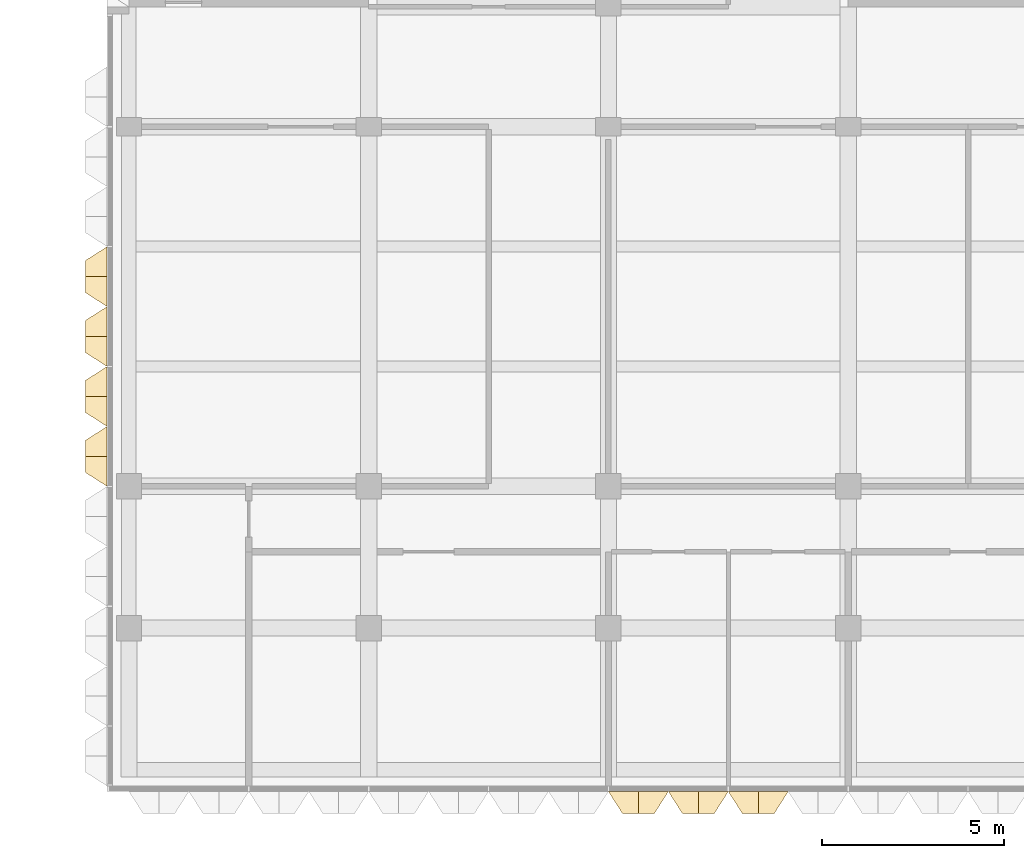
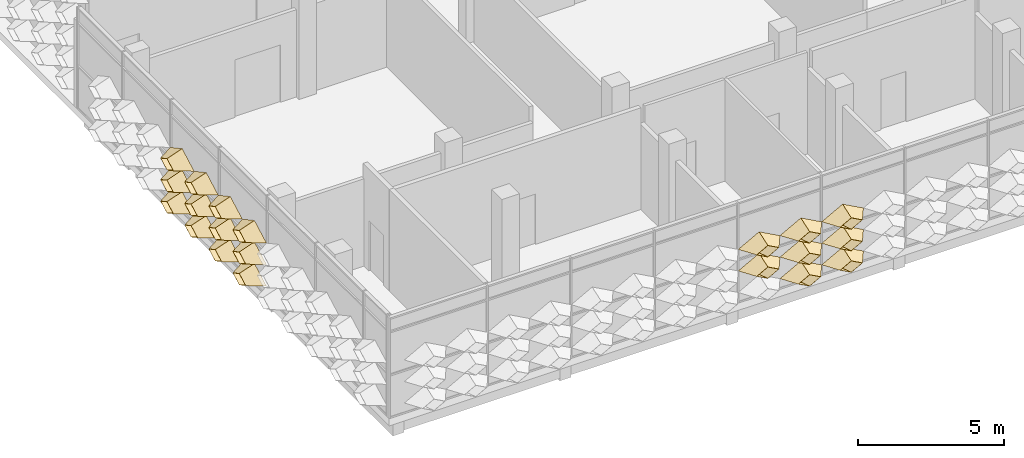
# One storey, part 33 of 61: 20 coverings.
"""IFC4 building model written with IfcOpenShell, lengths in metres."""

import ifcopenshell
import ifcopenshell.guid

model = None  # the IFC model being written
_history = None  # IfcOwnerHistory: only IFC2X3 demands one
_inside = {}  # id of a spatial element -> (the spatial element, [elements in it])
_under = {}  # id of a project, library or spatial element -> (it, [spatial elements below it])
_declared = {}  # id of a project -> (the project, [libraries it declares])
_typed = {}  # id of a type object -> (the type object, [elements of that type])
_made_of = {}  # id of a material, layer set ... -> (it, [elements and type objects made of it])


def new_model(schema):
    """Start an empty IFC model of exactly this schema.

    Asked for "IFC4X3", IfcOpenShell would pick the latest addendum, in which some entities
    have other attributes; the version numbers below select the first issue.
    IFC2X3 requires an IfcOwnerHistory on every rooted entity: one is made here for all.
    """
    global model, _history
    if schema == "IFC4X3":
        model = ifcopenshell.file(schema_version=(4, 3, 0, 0))
    else:
        model = ifcopenshell.file(schema=schema)
    _inside.clear()
    _under.clear()
    _declared.clear()
    _typed.clear()
    _made_of.clear()
    _history = None
    if model.schema == "IFC2X3":
        org = make("IfcOrganization", Name="unknown")
        user = make(
            "IfcPersonAndOrganization",
            ThePerson=make("IfcPerson", FamilyName="unknown"),
            TheOrganization=org,
        )
        app = make(
            "IfcApplication",
            ApplicationDeveloper=org,
            Version="unknown",
            ApplicationFullName="unknown",
            ApplicationIdentifier="unknown",
        )
        _history = make(
            "IfcOwnerHistory",
            OwningUser=user,
            OwningApplication=app,
            ChangeAction="ADDED",
            CreationDate=0,
        )
    return model


def make(cls, **values):
    """One entity of the class cls with the attributes given. An attribute that is None is left unset."""
    return model.create_entity(
        cls, **{name: value for name, value in values.items() if value is not None}
    )


def entity(cls, *values):
    """Any entity or typed value of the class cls, its attributes in the order of the schema. None: left unset."""
    e = model.create_entity(cls)
    for i, value in enumerate(values):
        if value is not None:
            e[i] = value
    return e


def rooted(cls, **values):
    """An entity with a GlobalId (a new one), such as an element, a storey or a relation."""
    return make(cls, GlobalId=ifcopenshell.guid.new(), OwnerHistory=_history, **values)


def si_unit(unit_type, name, prefix=None):
    """IfcSIUnit, for example si_unit("LENGTHUNIT", "METRE", prefix="MILLI")."""
    return make("IfcSIUnit", UnitType=unit_type, Prefix=prefix, Name=name)


def assignment(units):
    """IfcUnitAssignment: the units of a project."""
    return None if units is None else make("IfcUnitAssignment", Units=units)


def point(xyz):
    """IfcCartesianPoint."""
    return None if xyz is None else make("IfcCartesianPoint", Coordinates=xyz)


def direction(xyz):
    """IfcDirection."""
    return None if xyz is None else make("IfcDirection", DirectionRatios=xyz)


def frame(location, z_axis=None, x_axis=None):
    """IfcAxis2Placement3D, a coordinate frame: its origin and axes. An axis left out is left unset."""
    return make(
        "IfcAxis2Placement3D",
        Location=point(location),
        Axis=direction(z_axis),
        RefDirection=direction(x_axis),
    )


def origin():
    """The frame at (0, 0, 0) with its axes left unset."""
    return frame((0.0, 0.0, 0.0))


def place(relative_to, where):
    """IfcLocalPlacement: puts the frame where relative to a parent placement (None: the world)."""
    return make(
        "IfcLocalPlacement", PlacementRelTo=relative_to, RelativePlacement=where
    )


def context(
    kind, dimensions, precision=None, world=None, true_north=None, identifier=None
):
    """IfcGeometricRepresentationContext, for example the 3D "Model" context."""
    return make(
        "IfcGeometricRepresentationContext",
        ContextIdentifier=identifier,
        ContextType=kind,
        CoordinateSpaceDimension=dimensions,
        Precision=precision,
        WorldCoordinateSystem=world,
        TrueNorth=true_north,
    )


def subcontext(parent, identifier, kind, view, scale=None):
    """IfcGeometricRepresentationSubContext, for example "Body" below "Model"."""
    return make(
        "IfcGeometricRepresentationSubContext",
        ContextIdentifier=identifier,
        ContextType=kind,
        ParentContext=parent,
        TargetScale=scale,
        TargetView=view,
    )


def project(units=None, contexts=None):
    """IfcProject with its units and contexts."""
    return rooted(
        "IfcProject",
        Name="project",
        RepresentationContexts=contexts,
        UnitsInContext=assignment(units),
    )


def spatial(cls, under=None, at=None, **own):
    """A site, building, storey or space (cls), placed at a placement, below another one or the project."""
    s = rooted(cls, ObjectPlacement=at, **own)
    if under is not None:
        _under.setdefault(under.id(), (under, []))[1].append(s)
    return s


def shape(context_of_items, identifier, shape_type, items):
    """IfcShapeRepresentation: the items that make up one representation, for example the "Body"."""
    return make(
        "IfcShapeRepresentation",
        ContextOfItems=context_of_items,
        RepresentationIdentifier=identifier,
        RepresentationType=shape_type,
        Items=items,
    )


def material(Name=None, Category=None):
    """IfcMaterial."""
    return make("IfcMaterial", Name=Name, Category=Category)


def layer(
    of_material, thickness, ventilated=None, Name=None, Category=None, Priority=None
):
    """IfcMaterialLayer: one layer of a wall or slab, of a material (None: an air gap)."""
    return make(
        "IfcMaterialLayer",
        Material=of_material,
        LayerThickness=thickness,
        IsVentilated=ventilated,
        Name=Name,
        Category=Category,
        Priority=Priority,
    )


def layer_set(layers, Name=None):
    """IfcMaterialLayerSet."""
    return make("IfcMaterialLayerSet", MaterialLayers=layers, LayerSetName=Name)


def made_of(thing, what):
    """Note that an element or type object is made of a material, layer set ...; save() writes the relation."""
    if what is not None:
        _made_of.setdefault(what.id(), (what, []))[1].append(thing)
    return thing


def type_object(cls, material=None, **own):
    """A type object (cls), such as IfcWallType, which elements share."""
    return made_of(rooted(cls, **own), material)


def element(
    cls,
    number,
    at=None,
    inside=None,
    cuts=None,
    type_object=None,
    material=None,
    context=None,
    identifier="Body",
    shape_type=None,
    held_by="IfcProductDefinitionShape",
    body=None,
    shapes=None,
    **own,
):
    """One element of the class cls, such as IfcWall. Its Tag is "e" and its number.

    at: its placement. inside: the storey or other place that contains it. cuts: it is an
    opening in that element (IfcRelVoidsElement). A single representation is given by context,
    identifier, shape_type and body (its items); several are given by shapes. held_by: the class
    of the entity that holds the representations. save() writes the other relations.
    """
    e = rooted(cls, Tag="e%d" % number, ObjectPlacement=at, **own)
    if body is not None:
        shapes = [shape(context, identifier, shape_type, body)]
    if shapes is not None:
        e.Representation = make(held_by, Representations=shapes)
    if inside is not None:
        _inside.setdefault(inside.id(), (inside, []))[1].append(e)
    if cuts is not None:
        rooted(
            "IfcRelVoidsElement", RelatingBuildingElement=cuts, RelatedOpeningElement=e
        )
    if type_object is not None:
        _typed.setdefault(type_object.id(), (type_object, []))[1].append(e)
    return made_of(e, material)


def aggregate(whole, parts):
    """IfcRelAggregates: a whole, such as a stair, and the parts it consists of."""
    return rooted("IfcRelAggregates", RelatingObject=whole, RelatedObjects=parts)


def save(model, path):
    """Write the relations noted so far, then the file.

    IfcRelAggregates (storeys below a building ...), IfcRelContainedInSpatialStructure (elements
    in a storey), IfcRelDefinesByType, IfcRelAssociatesMaterial and IfcRelDeclares: one each for
    every whole, place, type object, material and project.
    """
    for whole, parts in _under.values():
        aggregate(whole, parts)
    for where, things in _inside.values():
        rooted(
            "IfcRelContainedInSpatialStructure",
            RelatedElements=things,
            RelatingStructure=where,
        )
    for kind, things in _typed.values():
        rooted("IfcRelDefinesByType", RelatedObjects=things, RelatingType=kind)
    for what, things in _made_of.values():
        rooted("IfcRelAssociatesMaterial", RelatedObjects=things, RelatingMaterial=what)
    for by, libraries in _declared.values():
        rooted("IfcRelDeclares", RelatingContext=by, RelatedDefinitions=libraries)
    model.write(path)


model = new_model("IFC4")

# Units and contexts
model_context = context("Model", 3, precision=1e-05, world=origin(), true_north=direction((0.0, 1.0)))
body_context = subcontext(model_context, "Body", "Model", "MODEL_VIEW")
ifc_project = project(units=[si_unit("LENGTHUNIT", "METRE"), si_unit("AREAUNIT", "SQUARE_METRE"), si_unit("VOLUMEUNIT", "CUBIC_METRE"), si_unit("PLANEANGLEUNIT", "RADIAN"), si_unit("MASSUNIT", "GRAM", prefix="KILO")], contexts=[model_context])

# Site, building, storey
site_placement = place(None, origin())
site = spatial("IfcSite", under=ifc_project, at=site_placement, CompositionType="ELEMENT")
building_placement = place(site_placement, origin())
building = spatial("IfcBuilding", under=site, at=building_placement, Name="Lantern Court Research Institute", CompositionType="ELEMENT")
storey_placement = place(building_placement, frame((0.0, 0.0, 23.39990234375)))
storey = spatial("IfcBuildingStorey", under=building, at=storey_placement, Name="L05", CompositionType="ELEMENT", Elevation=23.39990234375)

# Coverings
ifc_material = material(Name="Anodised aluminium", Category="aluminium")
ifc_layer = layer(ifc_material, 0.01611328125)
ifc_layer_set = layer_set([ifc_layer], Name="Anodised aluminium")
covering_type = type_object("IfcCoveringType", Name="Fin cassette 1650 x 900 x 600 aluminium", PredefinedType="CLADDING", material=ifc_layer_set)
covering_1_placement = place(storey_placement, frame((15.675048828125, -8.39990234375, 0.4501953125), z_axis=(0.0, -1.0, 0.0), x_axis=(1.0, 0.0, 0.0)))
cartesian_point_1 = entity("IfcCartesianPoint", [0.824951171875, 0.0])
cartesian_point_2 = entity("IfcCartesianPoint", [0.79150390625, 0.0])
cartesian_point_3 = entity("IfcCartesianPoint", [0.44189453125, 0.0])
cartesian_point_4 = entity("IfcCartesianPoint", [0.43359375, 0.0])
element("IfcCovering", 1, at=covering_1_placement, inside=storey, type_object=covering_type, Name="Fin cassette V4S-L05 1.10", PredefinedType="CLADDING", context=body_context, shape_type="SweptSolid", body=[
    entity("IfcExtrudedAreaSolidTapered", entity("IfcArbitraryProfileDefWithVoids", "AREA", None, entity("IfcPolyline", [cartesian_point_1, entity("IfcCartesianPoint", [0.0, 0.449951171875]), entity("IfcCartesianPoint", [-0.824951171875, 0.0]), entity("IfcCartesianPoint", [0.0, -0.449951171875]), cartesian_point_1]), [entity("IfcPolyline", [cartesian_point_2, entity("IfcCartesianPoint", [0.0, 0.431884765625]), entity("IfcCartesianPoint", [-0.79150390625, 0.0]), entity("IfcCartesianPoint", [0.0, -0.431884765625]), cartesian_point_2])]), entity("IfcAxis2Placement3D", entity("IfcCartesianPoint", [0.0, 0.0, 0.0])), entity("IfcDirection", [0.0, 0.0, 1.0]), 0.60009765625, entity("IfcArbitraryProfileDefWithVoids", "AREA", None, entity("IfcPolyline", [cartesian_point_3, entity("IfcCartesianPoint", [0.0, 0.240966796875]), entity("IfcCartesianPoint", [-0.44189453125, 0.0]), entity("IfcCartesianPoint", [0.0, -0.240966796875]), cartesian_point_3]), [entity("IfcPolyline", [cartesian_point_4, entity("IfcCartesianPoint", [0.0, 0.236572265625]), entity("IfcCartesianPoint", [-0.43359375, 0.0]), entity("IfcCartesianPoint", [0.0, -0.236572265625]), cartesian_point_4])])),
])
covering_2_placement = place(storey_placement, frame((17.324951171875, -8.39990234375, 0.4501953125), z_axis=(0.0, -1.0, 0.0), x_axis=(1.0, 0.0, 0.0)))
cartesian_point_5 = entity("IfcCartesianPoint", [0.824951171875, 0.0])
cartesian_point_6 = entity("IfcCartesianPoint", [0.79150390625, 0.0])
cartesian_point_7 = entity("IfcCartesianPoint", [0.44189453125, 0.0])
cartesian_point_8 = entity("IfcCartesianPoint", [0.43359375, 0.0])
element("IfcCovering", 2, at=covering_2_placement, inside=storey, type_object=covering_type, Name="Fin cassette V4S-L05 1.11", PredefinedType="CLADDING", context=body_context, shape_type="SweptSolid", body=[
    entity("IfcExtrudedAreaSolidTapered", entity("IfcArbitraryProfileDefWithVoids", "AREA", None, entity("IfcPolyline", [cartesian_point_5, entity("IfcCartesianPoint", [0.0, 0.449951171875]), entity("IfcCartesianPoint", [-0.824951171875, 0.0]), entity("IfcCartesianPoint", [0.0, -0.449951171875]), cartesian_point_5]), [entity("IfcPolyline", [cartesian_point_6, entity("IfcCartesianPoint", [0.0, 0.431884765625]), entity("IfcCartesianPoint", [-0.79150390625, 0.0]), entity("IfcCartesianPoint", [0.0, -0.431884765625]), cartesian_point_6])]), entity("IfcAxis2Placement3D", entity("IfcCartesianPoint", [0.0, 0.0, 0.0])), entity("IfcDirection", [0.0, 0.0, 1.0]), 0.60009765625, entity("IfcArbitraryProfileDefWithVoids", "AREA", None, entity("IfcPolyline", [cartesian_point_7, entity("IfcCartesianPoint", [0.0, 0.240966796875]), entity("IfcCartesianPoint", [-0.44189453125, 0.0]), entity("IfcCartesianPoint", [0.0, -0.240966796875]), cartesian_point_7]), [entity("IfcPolyline", [cartesian_point_8, entity("IfcCartesianPoint", [0.0, 0.236572265625]), entity("IfcCartesianPoint", [-0.43359375, 0.0]), entity("IfcCartesianPoint", [0.0, -0.236572265625]), cartesian_point_8])])),
])
covering_3_placement = place(storey_placement, frame((14.02490234375, -8.39990234375, 1.35009765625), z_axis=(0.0, -1.0, 0.0), x_axis=(1.0, 0.0, 0.0)))
cartesian_point_9 = entity("IfcCartesianPoint", [0.824951171875, 0.0])
cartesian_point_10 = entity("IfcCartesianPoint", [0.79150390625, 0.0])
cartesian_point_11 = entity("IfcCartesianPoint", [0.44189453125, 0.0])
cartesian_point_12 = entity("IfcCartesianPoint", [0.43359375, 0.0])
element("IfcCovering", 3, at=covering_3_placement, inside=storey, type_object=covering_type, Name="Fin cassette V4S-L05 2.9", PredefinedType="CLADDING", context=body_context, shape_type="SweptSolid", body=[
    entity("IfcExtrudedAreaSolidTapered", entity("IfcArbitraryProfileDefWithVoids", "AREA", None, entity("IfcPolyline", [cartesian_point_9, entity("IfcCartesianPoint", [0.0, 0.449951171875]), entity("IfcCartesianPoint", [-0.824951171875, 0.0]), entity("IfcCartesianPoint", [0.0, -0.449951171875]), cartesian_point_9]), [entity("IfcPolyline", [cartesian_point_10, entity("IfcCartesianPoint", [0.0, 0.431884765625]), entity("IfcCartesianPoint", [-0.79150390625, 0.0]), entity("IfcCartesianPoint", [0.0, -0.431884765625]), cartesian_point_10])]), entity("IfcAxis2Placement3D", entity("IfcCartesianPoint", [0.0, 0.0, 0.0])), entity("IfcDirection", [0.0, 0.0, 1.0]), 0.60009765625, entity("IfcArbitraryProfileDefWithVoids", "AREA", None, entity("IfcPolyline", [cartesian_point_11, entity("IfcCartesianPoint", [0.0, 0.240966796875]), entity("IfcCartesianPoint", [-0.44189453125, 0.0]), entity("IfcCartesianPoint", [0.0, -0.240966796875]), cartesian_point_11]), [entity("IfcPolyline", [cartesian_point_12, entity("IfcCartesianPoint", [0.0, 0.236572265625]), entity("IfcCartesianPoint", [-0.43359375, 0.0]), entity("IfcCartesianPoint", [0.0, -0.236572265625]), cartesian_point_12])])),
])
covering_4_placement = place(storey_placement, frame((15.675048828125, -8.39990234375, 1.35009765625), z_axis=(0.0, -1.0, 0.0), x_axis=(1.0, 0.0, 0.0)))
cartesian_point_13 = entity("IfcCartesianPoint", [0.824951171875, 0.0])
cartesian_point_14 = entity("IfcCartesianPoint", [0.79150390625, 0.0])
cartesian_point_15 = entity("IfcCartesianPoint", [0.44189453125, 0.0])
cartesian_point_16 = entity("IfcCartesianPoint", [0.43359375, 0.0])
element("IfcCovering", 4, at=covering_4_placement, inside=storey, type_object=covering_type, Name="Fin cassette V4S-L05 2.10", PredefinedType="CLADDING", context=body_context, shape_type="SweptSolid", body=[
    entity("IfcExtrudedAreaSolidTapered", entity("IfcArbitraryProfileDefWithVoids", "AREA", None, entity("IfcPolyline", [cartesian_point_13, entity("IfcCartesianPoint", [0.0, 0.449951171875]), entity("IfcCartesianPoint", [-0.824951171875, 0.0]), entity("IfcCartesianPoint", [0.0, -0.449951171875]), cartesian_point_13]), [entity("IfcPolyline", [cartesian_point_14, entity("IfcCartesianPoint", [0.0, 0.431884765625]), entity("IfcCartesianPoint", [-0.79150390625, 0.0]), entity("IfcCartesianPoint", [0.0, -0.431884765625]), cartesian_point_14])]), entity("IfcAxis2Placement3D", entity("IfcCartesianPoint", [0.0, 0.0, 0.0])), entity("IfcDirection", [0.0, 0.0, 1.0]), 0.60009765625, entity("IfcArbitraryProfileDefWithVoids", "AREA", None, entity("IfcPolyline", [cartesian_point_15, entity("IfcCartesianPoint", [0.0, 0.240966796875]), entity("IfcCartesianPoint", [-0.44189453125, 0.0]), entity("IfcCartesianPoint", [0.0, -0.240966796875]), cartesian_point_15]), [entity("IfcPolyline", [cartesian_point_16, entity("IfcCartesianPoint", [0.0, 0.236572265625]), entity("IfcCartesianPoint", [-0.43359375, 0.0]), entity("IfcCartesianPoint", [0.0, -0.236572265625]), cartesian_point_16])])),
])
covering_5_placement = place(storey_placement, frame((17.324951171875, -8.39990234375, 1.35009765625), z_axis=(0.0, -1.0, 0.0), x_axis=(1.0, 0.0, 0.0)))
cartesian_point_17 = entity("IfcCartesianPoint", [0.824951171875, 0.0])
cartesian_point_18 = entity("IfcCartesianPoint", [0.79150390625, 0.0])
cartesian_point_19 = entity("IfcCartesianPoint", [0.44189453125, 0.0])
cartesian_point_20 = entity("IfcCartesianPoint", [0.43359375, 0.0])
element("IfcCovering", 5, at=covering_5_placement, inside=storey, type_object=covering_type, Name="Fin cassette V4S-L05 2.11", PredefinedType="CLADDING", context=body_context, shape_type="SweptSolid", body=[
    entity("IfcExtrudedAreaSolidTapered", entity("IfcArbitraryProfileDefWithVoids", "AREA", None, entity("IfcPolyline", [cartesian_point_17, entity("IfcCartesianPoint", [0.0, 0.449951171875]), entity("IfcCartesianPoint", [-0.824951171875, 0.0]), entity("IfcCartesianPoint", [0.0, -0.449951171875]), cartesian_point_17]), [entity("IfcPolyline", [cartesian_point_18, entity("IfcCartesianPoint", [0.0, 0.431884765625]), entity("IfcCartesianPoint", [-0.79150390625, 0.0]), entity("IfcCartesianPoint", [0.0, -0.431884765625]), cartesian_point_18])]), entity("IfcAxis2Placement3D", entity("IfcCartesianPoint", [0.0, 0.0, 0.0])), entity("IfcDirection", [0.0, 0.0, 1.0]), 0.60009765625, entity("IfcArbitraryProfileDefWithVoids", "AREA", None, entity("IfcPolyline", [cartesian_point_19, entity("IfcCartesianPoint", [0.0, 0.240966796875]), entity("IfcCartesianPoint", [-0.44189453125, 0.0]), entity("IfcCartesianPoint", [0.0, -0.240966796875]), cartesian_point_19]), [entity("IfcPolyline", [cartesian_point_20, entity("IfcCartesianPoint", [0.0, 0.236572265625]), entity("IfcCartesianPoint", [-0.43359375, 0.0]), entity("IfcCartesianPoint", [0.0, -0.236572265625]), cartesian_point_20])])),
])
covering_6_placement = place(storey_placement, frame((14.02490234375, -8.39990234375, 2.25), z_axis=(0.0, -1.0, 0.0), x_axis=(1.0, 0.0, 0.0)))
cartesian_point_21 = entity("IfcCartesianPoint", [0.824951171875, 0.0])
cartesian_point_22 = entity("IfcCartesianPoint", [0.79150390625, 0.0])
cartesian_point_23 = entity("IfcCartesianPoint", [0.44189453125, 0.0])
cartesian_point_24 = entity("IfcCartesianPoint", [0.43359375, 0.0])
element("IfcCovering", 6, at=covering_6_placement, inside=storey, type_object=covering_type, Name="Fin cassette V4S-L05 3.9", PredefinedType="CLADDING", context=body_context, shape_type="SweptSolid", body=[
    entity("IfcExtrudedAreaSolidTapered", entity("IfcArbitraryProfileDefWithVoids", "AREA", None, entity("IfcPolyline", [cartesian_point_21, entity("IfcCartesianPoint", [0.0, 0.449951171875]), entity("IfcCartesianPoint", [-0.824951171875, 0.0]), entity("IfcCartesianPoint", [0.0, -0.449951171875]), cartesian_point_21]), [entity("IfcPolyline", [cartesian_point_22, entity("IfcCartesianPoint", [0.0, 0.431884765625]), entity("IfcCartesianPoint", [-0.79150390625, 0.0]), entity("IfcCartesianPoint", [0.0, -0.431884765625]), cartesian_point_22])]), entity("IfcAxis2Placement3D", entity("IfcCartesianPoint", [0.0, 0.0, 0.0])), entity("IfcDirection", [0.0, 0.0, 1.0]), 0.60009765625, entity("IfcArbitraryProfileDefWithVoids", "AREA", None, entity("IfcPolyline", [cartesian_point_23, entity("IfcCartesianPoint", [0.0, 0.240966796875]), entity("IfcCartesianPoint", [-0.44189453125, 0.0]), entity("IfcCartesianPoint", [0.0, -0.240966796875]), cartesian_point_23]), [entity("IfcPolyline", [cartesian_point_24, entity("IfcCartesianPoint", [0.0, 0.236572265625]), entity("IfcCartesianPoint", [-0.43359375, 0.0]), entity("IfcCartesianPoint", [0.0, -0.236572265625]), cartesian_point_24])])),
])
covering_7_placement = place(storey_placement, frame((15.675048828125, -8.39990234375, 2.25), z_axis=(0.0, -1.0, 0.0), x_axis=(1.0, 0.0, 0.0)))
cartesian_point_25 = entity("IfcCartesianPoint", [0.824951171875, 0.0])
cartesian_point_26 = entity("IfcCartesianPoint", [0.79150390625, 0.0])
cartesian_point_27 = entity("IfcCartesianPoint", [0.44189453125, 0.0])
cartesian_point_28 = entity("IfcCartesianPoint", [0.43359375, 0.0])
element("IfcCovering", 7, at=covering_7_placement, inside=storey, type_object=covering_type, Name="Fin cassette V4S-L05 3.10", PredefinedType="CLADDING", context=body_context, shape_type="SweptSolid", body=[
    entity("IfcExtrudedAreaSolidTapered", entity("IfcArbitraryProfileDefWithVoids", "AREA", None, entity("IfcPolyline", [cartesian_point_25, entity("IfcCartesianPoint", [0.0, 0.449951171875]), entity("IfcCartesianPoint", [-0.824951171875, 0.0]), entity("IfcCartesianPoint", [0.0, -0.449951171875]), cartesian_point_25]), [entity("IfcPolyline", [cartesian_point_26, entity("IfcCartesianPoint", [0.0, 0.431884765625]), entity("IfcCartesianPoint", [-0.79150390625, 0.0]), entity("IfcCartesianPoint", [0.0, -0.431884765625]), cartesian_point_26])]), entity("IfcAxis2Placement3D", entity("IfcCartesianPoint", [0.0, 0.0, 0.0])), entity("IfcDirection", [0.0, 0.0, 1.0]), 0.60009765625, entity("IfcArbitraryProfileDefWithVoids", "AREA", None, entity("IfcPolyline", [cartesian_point_27, entity("IfcCartesianPoint", [0.0, 0.240966796875]), entity("IfcCartesianPoint", [-0.44189453125, 0.0]), entity("IfcCartesianPoint", [0.0, -0.240966796875]), cartesian_point_27]), [entity("IfcPolyline", [cartesian_point_28, entity("IfcCartesianPoint", [0.0, 0.236572265625]), entity("IfcCartesianPoint", [-0.43359375, 0.0]), entity("IfcCartesianPoint", [0.0, -0.236572265625]), cartesian_point_28])])),
])
covering_8_placement = place(storey_placement, frame((17.324951171875, -8.39990234375, 2.25), z_axis=(0.0, -1.0, 0.0), x_axis=(1.0, 0.0, 0.0)))
cartesian_point_29 = entity("IfcCartesianPoint", [0.824951171875, 0.0])
cartesian_point_30 = entity("IfcCartesianPoint", [0.79150390625, 0.0])
cartesian_point_31 = entity("IfcCartesianPoint", [0.44189453125, 0.0])
cartesian_point_32 = entity("IfcCartesianPoint", [0.43359375, 0.0])
element("IfcCovering", 8, at=covering_8_placement, inside=storey, type_object=covering_type, Name="Fin cassette V4S-L05 3.11", PredefinedType="CLADDING", context=body_context, shape_type="SweptSolid", body=[
    entity("IfcExtrudedAreaSolidTapered", entity("IfcArbitraryProfileDefWithVoids", "AREA", None, entity("IfcPolyline", [cartesian_point_29, entity("IfcCartesianPoint", [0.0, 0.449951171875]), entity("IfcCartesianPoint", [-0.824951171875, 0.0]), entity("IfcCartesianPoint", [0.0, -0.449951171875]), cartesian_point_29]), [entity("IfcPolyline", [cartesian_point_30, entity("IfcCartesianPoint", [0.0, 0.431884765625]), entity("IfcCartesianPoint", [-0.79150390625, 0.0]), entity("IfcCartesianPoint", [0.0, -0.431884765625]), cartesian_point_30])]), entity("IfcAxis2Placement3D", entity("IfcCartesianPoint", [0.0, 0.0, 0.0])), entity("IfcDirection", [0.0, 0.0, 1.0]), 0.60009765625, entity("IfcArbitraryProfileDefWithVoids", "AREA", None, entity("IfcPolyline", [cartesian_point_31, entity("IfcCartesianPoint", [0.0, 0.240966796875]), entity("IfcCartesianPoint", [-0.44189453125, 0.0]), entity("IfcCartesianPoint", [0.0, -0.240966796875]), cartesian_point_31]), [entity("IfcPolyline", [cartesian_point_32, entity("IfcCartesianPoint", [0.0, 0.236572265625]), entity("IfcCartesianPoint", [-0.43359375, 0.0]), entity("IfcCartesianPoint", [0.0, -0.236572265625]), cartesian_point_32])])),
])
covering_9_placement = place(storey_placement, frame((-0.60009765625, 0.824951171875, 0.4501953125), z_axis=(-1.0, 0.0, 0.0), x_axis=(0.0, -1.0, 0.0)))
cartesian_point_33 = entity("IfcCartesianPoint", [0.824951171875, 0.0])
cartesian_point_34 = entity("IfcCartesianPoint", [0.79150390625, 0.0])
cartesian_point_35 = entity("IfcCartesianPoint", [0.44189453125, 0.0])
cartesian_point_36 = entity("IfcCartesianPoint", [0.43359375, 0.0])
element("IfcCovering", 9, at=covering_9_placement, inside=storey, type_object=covering_type, Name="Fin cassette V4W-L05 1.1", PredefinedType="CLADDING", context=body_context, shape_type="SweptSolid", body=[
    entity("IfcExtrudedAreaSolidTapered", entity("IfcArbitraryProfileDefWithVoids", "AREA", None, entity("IfcPolyline", [cartesian_point_33, entity("IfcCartesianPoint", [0.0, 0.449951171875]), entity("IfcCartesianPoint", [-0.824951171875, 0.0]), entity("IfcCartesianPoint", [0.0, -0.449951171875]), cartesian_point_33]), [entity("IfcPolyline", [cartesian_point_34, entity("IfcCartesianPoint", [0.0, 0.431884765625]), entity("IfcCartesianPoint", [-0.79150390625, 0.0]), entity("IfcCartesianPoint", [0.0, -0.431884765625]), cartesian_point_34])]), entity("IfcAxis2Placement3D", entity("IfcCartesianPoint", [0.0, 0.0, 0.0])), entity("IfcDirection", [0.0, 0.0, 1.0]), 0.60009765625, entity("IfcArbitraryProfileDefWithVoids", "AREA", None, entity("IfcPolyline", [cartesian_point_35, entity("IfcCartesianPoint", [0.0, 0.240966796875]), entity("IfcCartesianPoint", [-0.44189453125, 0.0]), entity("IfcCartesianPoint", [0.0, -0.240966796875]), cartesian_point_35]), [entity("IfcPolyline", [cartesian_point_36, entity("IfcCartesianPoint", [0.0, 0.236572265625]), entity("IfcCartesianPoint", [-0.43359375, 0.0]), entity("IfcCartesianPoint", [0.0, -0.236572265625]), cartesian_point_36])])),
])
covering_10_placement = place(storey_placement, frame((-0.60009765625, 2.47509765625, 0.4501953125), z_axis=(-1.0, 0.0, 0.0), x_axis=(0.0, -1.0, 0.0)))
cartesian_point_37 = entity("IfcCartesianPoint", [0.824951171875, 0.0])
cartesian_point_38 = entity("IfcCartesianPoint", [0.79150390625, 0.0])
cartesian_point_39 = entity("IfcCartesianPoint", [0.44189453125, 0.0])
cartesian_point_40 = entity("IfcCartesianPoint", [0.43359375, 0.0])
element("IfcCovering", 10, at=covering_10_placement, inside=storey, type_object=covering_type, Name="Fin cassette V4W-L05 1.2", PredefinedType="CLADDING", context=body_context, shape_type="SweptSolid", body=[
    entity("IfcExtrudedAreaSolidTapered", entity("IfcArbitraryProfileDefWithVoids", "AREA", None, entity("IfcPolyline", [cartesian_point_37, entity("IfcCartesianPoint", [0.0, 0.449951171875]), entity("IfcCartesianPoint", [-0.824951171875, 0.0]), entity("IfcCartesianPoint", [0.0, -0.449951171875]), cartesian_point_37]), [entity("IfcPolyline", [cartesian_point_38, entity("IfcCartesianPoint", [0.0, 0.431884765625]), entity("IfcCartesianPoint", [-0.79150390625, 0.0]), entity("IfcCartesianPoint", [0.0, -0.431884765625]), cartesian_point_38])]), entity("IfcAxis2Placement3D", entity("IfcCartesianPoint", [0.0, 0.0, 0.0])), entity("IfcDirection", [0.0, 0.0, 1.0]), 0.60009765625, entity("IfcArbitraryProfileDefWithVoids", "AREA", None, entity("IfcPolyline", [cartesian_point_39, entity("IfcCartesianPoint", [0.0, 0.240966796875]), entity("IfcCartesianPoint", [-0.44189453125, 0.0]), entity("IfcCartesianPoint", [0.0, -0.240966796875]), cartesian_point_39]), [entity("IfcPolyline", [cartesian_point_40, entity("IfcCartesianPoint", [0.0, 0.236572265625]), entity("IfcCartesianPoint", [-0.43359375, 0.0]), entity("IfcCartesianPoint", [0.0, -0.236572265625]), cartesian_point_40])])),
])
covering_11_placement = place(storey_placement, frame((-0.60009765625, 4.125, 0.4501953125), z_axis=(-1.0, 0.0, 0.0), x_axis=(0.0, -1.0, 0.0)))
cartesian_point_41 = entity("IfcCartesianPoint", [0.824951171875, 0.0])
cartesian_point_42 = entity("IfcCartesianPoint", [0.79150390625, 0.0])
cartesian_point_43 = entity("IfcCartesianPoint", [0.44189453125, 0.0])
cartesian_point_44 = entity("IfcCartesianPoint", [0.43359375, 0.0])
element("IfcCovering", 11, at=covering_11_placement, inside=storey, type_object=covering_type, Name="Fin cassette V4W-L05 1.3", PredefinedType="CLADDING", context=body_context, shape_type="SweptSolid", body=[
    entity("IfcExtrudedAreaSolidTapered", entity("IfcArbitraryProfileDefWithVoids", "AREA", None, entity("IfcPolyline", [cartesian_point_41, entity("IfcCartesianPoint", [0.0, 0.449951171875]), entity("IfcCartesianPoint", [-0.824951171875, 0.0]), entity("IfcCartesianPoint", [0.0, -0.449951171875]), cartesian_point_41]), [entity("IfcPolyline", [cartesian_point_42, entity("IfcCartesianPoint", [0.0, 0.431884765625]), entity("IfcCartesianPoint", [-0.79150390625, 0.0]), entity("IfcCartesianPoint", [0.0, -0.431884765625]), cartesian_point_42])]), entity("IfcAxis2Placement3D", entity("IfcCartesianPoint", [0.0, 0.0, 0.0])), entity("IfcDirection", [0.0, 0.0, 1.0]), 0.60009765625, entity("IfcArbitraryProfileDefWithVoids", "AREA", None, entity("IfcPolyline", [cartesian_point_43, entity("IfcCartesianPoint", [0.0, 0.240966796875]), entity("IfcCartesianPoint", [-0.44189453125, 0.0]), entity("IfcCartesianPoint", [0.0, -0.240966796875]), cartesian_point_43]), [entity("IfcPolyline", [cartesian_point_44, entity("IfcCartesianPoint", [0.0, 0.236572265625]), entity("IfcCartesianPoint", [-0.43359375, 0.0]), entity("IfcCartesianPoint", [0.0, -0.236572265625]), cartesian_point_44])])),
])
covering_12_placement = place(storey_placement, frame((-0.60009765625, 5.77490234375, 0.4501953125), z_axis=(-1.0, 0.0, 0.0), x_axis=(0.0, -1.0, 0.0)))
cartesian_point_45 = entity("IfcCartesianPoint", [0.824951171875, 0.0])
cartesian_point_46 = entity("IfcCartesianPoint", [0.79150390625, 0.0])
cartesian_point_47 = entity("IfcCartesianPoint", [0.44189453125, 0.0])
cartesian_point_48 = entity("IfcCartesianPoint", [0.43359375, 0.0])
element("IfcCovering", 12, at=covering_12_placement, inside=storey, type_object=covering_type, Name="Fin cassette V4W-L05 1.4", PredefinedType="CLADDING", context=body_context, shape_type="SweptSolid", body=[
    entity("IfcExtrudedAreaSolidTapered", entity("IfcArbitraryProfileDefWithVoids", "AREA", None, entity("IfcPolyline", [cartesian_point_45, entity("IfcCartesianPoint", [0.0, 0.449951171875]), entity("IfcCartesianPoint", [-0.824951171875, 0.0]), entity("IfcCartesianPoint", [0.0, -0.449951171875]), cartesian_point_45]), [entity("IfcPolyline", [cartesian_point_46, entity("IfcCartesianPoint", [0.0, 0.431884765625]), entity("IfcCartesianPoint", [-0.79150390625, 0.0]), entity("IfcCartesianPoint", [0.0, -0.431884765625]), cartesian_point_46])]), entity("IfcAxis2Placement3D", entity("IfcCartesianPoint", [0.0, 0.0, 0.0])), entity("IfcDirection", [0.0, 0.0, 1.0]), 0.60009765625, entity("IfcArbitraryProfileDefWithVoids", "AREA", None, entity("IfcPolyline", [cartesian_point_47, entity("IfcCartesianPoint", [0.0, 0.240966796875]), entity("IfcCartesianPoint", [-0.44189453125, 0.0]), entity("IfcCartesianPoint", [0.0, -0.240966796875]), cartesian_point_47]), [entity("IfcPolyline", [cartesian_point_48, entity("IfcCartesianPoint", [0.0, 0.236572265625]), entity("IfcCartesianPoint", [-0.43359375, 0.0]), entity("IfcCartesianPoint", [0.0, -0.236572265625]), cartesian_point_48])])),
])
covering_13_placement = place(storey_placement, frame((-0.60009765625, 0.824951171875, 1.35009765625), z_axis=(-1.0, 0.0, 0.0), x_axis=(0.0, -1.0, 0.0)))
cartesian_point_49 = entity("IfcCartesianPoint", [0.824951171875, 0.0])
cartesian_point_50 = entity("IfcCartesianPoint", [0.79150390625, 0.0])
cartesian_point_51 = entity("IfcCartesianPoint", [0.44189453125, 0.0])
cartesian_point_52 = entity("IfcCartesianPoint", [0.43359375, 0.0])
element("IfcCovering", 13, at=covering_13_placement, inside=storey, type_object=covering_type, Name="Fin cassette V4W-L05 2.1", PredefinedType="CLADDING", context=body_context, shape_type="SweptSolid", body=[
    entity("IfcExtrudedAreaSolidTapered", entity("IfcArbitraryProfileDefWithVoids", "AREA", None, entity("IfcPolyline", [cartesian_point_49, entity("IfcCartesianPoint", [0.0, 0.449951171875]), entity("IfcCartesianPoint", [-0.824951171875, 0.0]), entity("IfcCartesianPoint", [0.0, -0.449951171875]), cartesian_point_49]), [entity("IfcPolyline", [cartesian_point_50, entity("IfcCartesianPoint", [0.0, 0.431884765625]), entity("IfcCartesianPoint", [-0.79150390625, 0.0]), entity("IfcCartesianPoint", [0.0, -0.431884765625]), cartesian_point_50])]), entity("IfcAxis2Placement3D", entity("IfcCartesianPoint", [0.0, 0.0, 0.0])), entity("IfcDirection", [0.0, 0.0, 1.0]), 0.60009765625, entity("IfcArbitraryProfileDefWithVoids", "AREA", None, entity("IfcPolyline", [cartesian_point_51, entity("IfcCartesianPoint", [0.0, 0.240966796875]), entity("IfcCartesianPoint", [-0.44189453125, 0.0]), entity("IfcCartesianPoint", [0.0, -0.240966796875]), cartesian_point_51]), [entity("IfcPolyline", [cartesian_point_52, entity("IfcCartesianPoint", [0.0, 0.236572265625]), entity("IfcCartesianPoint", [-0.43359375, 0.0]), entity("IfcCartesianPoint", [0.0, -0.236572265625]), cartesian_point_52])])),
])
covering_14_placement = place(storey_placement, frame((-0.60009765625, 2.47509765625, 1.35009765625), z_axis=(-1.0, 0.0, 0.0), x_axis=(0.0, -1.0, 0.0)))
cartesian_point_53 = entity("IfcCartesianPoint", [0.824951171875, 0.0])
cartesian_point_54 = entity("IfcCartesianPoint", [0.79150390625, 0.0])
cartesian_point_55 = entity("IfcCartesianPoint", [0.44189453125, 0.0])
cartesian_point_56 = entity("IfcCartesianPoint", [0.43359375, 0.0])
element("IfcCovering", 14, at=covering_14_placement, inside=storey, type_object=covering_type, Name="Fin cassette V4W-L05 2.2", PredefinedType="CLADDING", context=body_context, shape_type="SweptSolid", body=[
    entity("IfcExtrudedAreaSolidTapered", entity("IfcArbitraryProfileDefWithVoids", "AREA", None, entity("IfcPolyline", [cartesian_point_53, entity("IfcCartesianPoint", [0.0, 0.449951171875]), entity("IfcCartesianPoint", [-0.824951171875, 0.0]), entity("IfcCartesianPoint", [0.0, -0.449951171875]), cartesian_point_53]), [entity("IfcPolyline", [cartesian_point_54, entity("IfcCartesianPoint", [0.0, 0.431884765625]), entity("IfcCartesianPoint", [-0.79150390625, 0.0]), entity("IfcCartesianPoint", [0.0, -0.431884765625]), cartesian_point_54])]), entity("IfcAxis2Placement3D", entity("IfcCartesianPoint", [0.0, 0.0, 0.0])), entity("IfcDirection", [0.0, 0.0, 1.0]), 0.60009765625, entity("IfcArbitraryProfileDefWithVoids", "AREA", None, entity("IfcPolyline", [cartesian_point_55, entity("IfcCartesianPoint", [0.0, 0.240966796875]), entity("IfcCartesianPoint", [-0.44189453125, 0.0]), entity("IfcCartesianPoint", [0.0, -0.240966796875]), cartesian_point_55]), [entity("IfcPolyline", [cartesian_point_56, entity("IfcCartesianPoint", [0.0, 0.236572265625]), entity("IfcCartesianPoint", [-0.43359375, 0.0]), entity("IfcCartesianPoint", [0.0, -0.236572265625]), cartesian_point_56])])),
])
covering_15_placement = place(storey_placement, frame((-0.60009765625, 4.125, 1.35009765625), z_axis=(-1.0, 0.0, 0.0), x_axis=(0.0, -1.0, 0.0)))
cartesian_point_57 = entity("IfcCartesianPoint", [0.824951171875, 0.0])
cartesian_point_58 = entity("IfcCartesianPoint", [0.79150390625, 0.0])
cartesian_point_59 = entity("IfcCartesianPoint", [0.44189453125, 0.0])
cartesian_point_60 = entity("IfcCartesianPoint", [0.43359375, 0.0])
element("IfcCovering", 15, at=covering_15_placement, inside=storey, type_object=covering_type, Name="Fin cassette V4W-L05 2.3", PredefinedType="CLADDING", context=body_context, shape_type="SweptSolid", body=[
    entity("IfcExtrudedAreaSolidTapered", entity("IfcArbitraryProfileDefWithVoids", "AREA", None, entity("IfcPolyline", [cartesian_point_57, entity("IfcCartesianPoint", [0.0, 0.449951171875]), entity("IfcCartesianPoint", [-0.824951171875, 0.0]), entity("IfcCartesianPoint", [0.0, -0.449951171875]), cartesian_point_57]), [entity("IfcPolyline", [cartesian_point_58, entity("IfcCartesianPoint", [0.0, 0.431884765625]), entity("IfcCartesianPoint", [-0.79150390625, 0.0]), entity("IfcCartesianPoint", [0.0, -0.431884765625]), cartesian_point_58])]), entity("IfcAxis2Placement3D", entity("IfcCartesianPoint", [0.0, 0.0, 0.0])), entity("IfcDirection", [0.0, 0.0, 1.0]), 0.60009765625, entity("IfcArbitraryProfileDefWithVoids", "AREA", None, entity("IfcPolyline", [cartesian_point_59, entity("IfcCartesianPoint", [0.0, 0.240966796875]), entity("IfcCartesianPoint", [-0.44189453125, 0.0]), entity("IfcCartesianPoint", [0.0, -0.240966796875]), cartesian_point_59]), [entity("IfcPolyline", [cartesian_point_60, entity("IfcCartesianPoint", [0.0, 0.236572265625]), entity("IfcCartesianPoint", [-0.43359375, 0.0]), entity("IfcCartesianPoint", [0.0, -0.236572265625]), cartesian_point_60])])),
])
covering_16_placement = place(storey_placement, frame((-0.60009765625, 5.77490234375, 1.35009765625), z_axis=(-1.0, 0.0, 0.0), x_axis=(0.0, -1.0, 0.0)))
cartesian_point_61 = entity("IfcCartesianPoint", [0.824951171875, 0.0])
cartesian_point_62 = entity("IfcCartesianPoint", [0.79150390625, 0.0])
cartesian_point_63 = entity("IfcCartesianPoint", [0.44189453125, 0.0])
cartesian_point_64 = entity("IfcCartesianPoint", [0.43359375, 0.0])
element("IfcCovering", 16, at=covering_16_placement, inside=storey, type_object=covering_type, Name="Fin cassette V4W-L05 2.4", PredefinedType="CLADDING", context=body_context, shape_type="SweptSolid", body=[
    entity("IfcExtrudedAreaSolidTapered", entity("IfcArbitraryProfileDefWithVoids", "AREA", None, entity("IfcPolyline", [cartesian_point_61, entity("IfcCartesianPoint", [0.0, 0.449951171875]), entity("IfcCartesianPoint", [-0.824951171875, 0.0]), entity("IfcCartesianPoint", [0.0, -0.449951171875]), cartesian_point_61]), [entity("IfcPolyline", [cartesian_point_62, entity("IfcCartesianPoint", [0.0, 0.431884765625]), entity("IfcCartesianPoint", [-0.79150390625, 0.0]), entity("IfcCartesianPoint", [0.0, -0.431884765625]), cartesian_point_62])]), entity("IfcAxis2Placement3D", entity("IfcCartesianPoint", [0.0, 0.0, 0.0])), entity("IfcDirection", [0.0, 0.0, 1.0]), 0.60009765625, entity("IfcArbitraryProfileDefWithVoids", "AREA", None, entity("IfcPolyline", [cartesian_point_63, entity("IfcCartesianPoint", [0.0, 0.240966796875]), entity("IfcCartesianPoint", [-0.44189453125, 0.0]), entity("IfcCartesianPoint", [0.0, -0.240966796875]), cartesian_point_63]), [entity("IfcPolyline", [cartesian_point_64, entity("IfcCartesianPoint", [0.0, 0.236572265625]), entity("IfcCartesianPoint", [-0.43359375, 0.0]), entity("IfcCartesianPoint", [0.0, -0.236572265625]), cartesian_point_64])])),
])
covering_17_placement = place(storey_placement, frame((-0.60009765625, 0.824951171875, 2.25), z_axis=(-1.0, 0.0, 0.0), x_axis=(0.0, -1.0, 0.0)))
cartesian_point_65 = entity("IfcCartesianPoint", [0.824951171875, 0.0])
cartesian_point_66 = entity("IfcCartesianPoint", [0.79150390625, 0.0])
cartesian_point_67 = entity("IfcCartesianPoint", [0.44189453125, 0.0])
cartesian_point_68 = entity("IfcCartesianPoint", [0.43359375, 0.0])
element("IfcCovering", 17, at=covering_17_placement, inside=storey, type_object=covering_type, Name="Fin cassette V4W-L05 3.1", PredefinedType="CLADDING", context=body_context, shape_type="SweptSolid", body=[
    entity("IfcExtrudedAreaSolidTapered", entity("IfcArbitraryProfileDefWithVoids", "AREA", None, entity("IfcPolyline", [cartesian_point_65, entity("IfcCartesianPoint", [0.0, 0.449951171875]), entity("IfcCartesianPoint", [-0.824951171875, 0.0]), entity("IfcCartesianPoint", [0.0, -0.449951171875]), cartesian_point_65]), [entity("IfcPolyline", [cartesian_point_66, entity("IfcCartesianPoint", [0.0, 0.431884765625]), entity("IfcCartesianPoint", [-0.79150390625, 0.0]), entity("IfcCartesianPoint", [0.0, -0.431884765625]), cartesian_point_66])]), entity("IfcAxis2Placement3D", entity("IfcCartesianPoint", [0.0, 0.0, 0.0])), entity("IfcDirection", [0.0, 0.0, 1.0]), 0.60009765625, entity("IfcArbitraryProfileDefWithVoids", "AREA", None, entity("IfcPolyline", [cartesian_point_67, entity("IfcCartesianPoint", [0.0, 0.240966796875]), entity("IfcCartesianPoint", [-0.44189453125, 0.0]), entity("IfcCartesianPoint", [0.0, -0.240966796875]), cartesian_point_67]), [entity("IfcPolyline", [cartesian_point_68, entity("IfcCartesianPoint", [0.0, 0.236572265625]), entity("IfcCartesianPoint", [-0.43359375, 0.0]), entity("IfcCartesianPoint", [0.0, -0.236572265625]), cartesian_point_68])])),
])
covering_18_placement = place(storey_placement, frame((-0.60009765625, 2.47509765625, 2.25), z_axis=(-1.0, 0.0, 0.0), x_axis=(0.0, -1.0, 0.0)))
cartesian_point_69 = entity("IfcCartesianPoint", [0.824951171875, 0.0])
cartesian_point_70 = entity("IfcCartesianPoint", [0.79150390625, 0.0])
cartesian_point_71 = entity("IfcCartesianPoint", [0.44189453125, 0.0])
cartesian_point_72 = entity("IfcCartesianPoint", [0.43359375, 0.0])
element("IfcCovering", 18, at=covering_18_placement, inside=storey, type_object=covering_type, Name="Fin cassette V4W-L05 3.2", PredefinedType="CLADDING", context=body_context, shape_type="SweptSolid", body=[
    entity("IfcExtrudedAreaSolidTapered", entity("IfcArbitraryProfileDefWithVoids", "AREA", None, entity("IfcPolyline", [cartesian_point_69, entity("IfcCartesianPoint", [0.0, 0.449951171875]), entity("IfcCartesianPoint", [-0.824951171875, 0.0]), entity("IfcCartesianPoint", [0.0, -0.449951171875]), cartesian_point_69]), [entity("IfcPolyline", [cartesian_point_70, entity("IfcCartesianPoint", [0.0, 0.431884765625]), entity("IfcCartesianPoint", [-0.79150390625, 0.0]), entity("IfcCartesianPoint", [0.0, -0.431884765625]), cartesian_point_70])]), entity("IfcAxis2Placement3D", entity("IfcCartesianPoint", [0.0, 0.0, 0.0])), entity("IfcDirection", [0.0, 0.0, 1.0]), 0.60009765625, entity("IfcArbitraryProfileDefWithVoids", "AREA", None, entity("IfcPolyline", [cartesian_point_71, entity("IfcCartesianPoint", [0.0, 0.240966796875]), entity("IfcCartesianPoint", [-0.44189453125, 0.0]), entity("IfcCartesianPoint", [0.0, -0.240966796875]), cartesian_point_71]), [entity("IfcPolyline", [cartesian_point_72, entity("IfcCartesianPoint", [0.0, 0.236572265625]), entity("IfcCartesianPoint", [-0.43359375, 0.0]), entity("IfcCartesianPoint", [0.0, -0.236572265625]), cartesian_point_72])])),
])
covering_19_placement = place(storey_placement, frame((-0.60009765625, 4.125, 2.25), z_axis=(-1.0, 0.0, 0.0), x_axis=(0.0, -1.0, 0.0)))
cartesian_point_73 = entity("IfcCartesianPoint", [0.824951171875, 0.0])
cartesian_point_74 = entity("IfcCartesianPoint", [0.79150390625, 0.0])
cartesian_point_75 = entity("IfcCartesianPoint", [0.44189453125, 0.0])
cartesian_point_76 = entity("IfcCartesianPoint", [0.43359375, 0.0])
element("IfcCovering", 19, at=covering_19_placement, inside=storey, type_object=covering_type, Name="Fin cassette V4W-L05 3.3", PredefinedType="CLADDING", context=body_context, shape_type="SweptSolid", body=[
    entity("IfcExtrudedAreaSolidTapered", entity("IfcArbitraryProfileDefWithVoids", "AREA", None, entity("IfcPolyline", [cartesian_point_73, entity("IfcCartesianPoint", [0.0, 0.449951171875]), entity("IfcCartesianPoint", [-0.824951171875, 0.0]), entity("IfcCartesianPoint", [0.0, -0.449951171875]), cartesian_point_73]), [entity("IfcPolyline", [cartesian_point_74, entity("IfcCartesianPoint", [0.0, 0.431884765625]), entity("IfcCartesianPoint", [-0.79150390625, 0.0]), entity("IfcCartesianPoint", [0.0, -0.431884765625]), cartesian_point_74])]), entity("IfcAxis2Placement3D", entity("IfcCartesianPoint", [0.0, 0.0, 0.0])), entity("IfcDirection", [0.0, 0.0, 1.0]), 0.60009765625, entity("IfcArbitraryProfileDefWithVoids", "AREA", None, entity("IfcPolyline", [cartesian_point_75, entity("IfcCartesianPoint", [0.0, 0.240966796875]), entity("IfcCartesianPoint", [-0.44189453125, 0.0]), entity("IfcCartesianPoint", [0.0, -0.240966796875]), cartesian_point_75]), [entity("IfcPolyline", [cartesian_point_76, entity("IfcCartesianPoint", [0.0, 0.236572265625]), entity("IfcCartesianPoint", [-0.43359375, 0.0]), entity("IfcCartesianPoint", [0.0, -0.236572265625]), cartesian_point_76])])),
])
covering_20_placement = place(storey_placement, frame((-0.60009765625, 5.77490234375, 2.25), z_axis=(-1.0, 0.0, 0.0), x_axis=(0.0, -1.0, 0.0)))
cartesian_point_77 = entity("IfcCartesianPoint", [0.824951171875, 0.0])
cartesian_point_78 = entity("IfcCartesianPoint", [0.79150390625, 0.0])
cartesian_point_79 = entity("IfcCartesianPoint", [0.44189453125, 0.0])
cartesian_point_80 = entity("IfcCartesianPoint", [0.43359375, 0.0])
element("IfcCovering", 20, at=covering_20_placement, inside=storey, type_object=covering_type, Name="Fin cassette V4W-L05 3.4", PredefinedType="CLADDING", context=body_context, shape_type="SweptSolid", body=[
    entity("IfcExtrudedAreaSolidTapered", entity("IfcArbitraryProfileDefWithVoids", "AREA", None, entity("IfcPolyline", [cartesian_point_77, entity("IfcCartesianPoint", [0.0, 0.449951171875]), entity("IfcCartesianPoint", [-0.824951171875, 0.0]), entity("IfcCartesianPoint", [0.0, -0.449951171875]), cartesian_point_77]), [entity("IfcPolyline", [cartesian_point_78, entity("IfcCartesianPoint", [0.0, 0.431884765625]), entity("IfcCartesianPoint", [-0.79150390625, 0.0]), entity("IfcCartesianPoint", [0.0, -0.431884765625]), cartesian_point_78])]), entity("IfcAxis2Placement3D", entity("IfcCartesianPoint", [0.0, 0.0, 0.0])), entity("IfcDirection", [0.0, 0.0, 1.0]), 0.60009765625, entity("IfcArbitraryProfileDefWithVoids", "AREA", None, entity("IfcPolyline", [cartesian_point_79, entity("IfcCartesianPoint", [0.0, 0.240966796875]), entity("IfcCartesianPoint", [-0.44189453125, 0.0]), entity("IfcCartesianPoint", [0.0, -0.240966796875]), cartesian_point_79]), [entity("IfcPolyline", [cartesian_point_80, entity("IfcCartesianPoint", [0.0, 0.236572265625]), entity("IfcCartesianPoint", [-0.43359375, 0.0]), entity("IfcCartesianPoint", [0.0, -0.236572265625]), cartesian_point_80])])),
])

save(model, "model.ifc")
